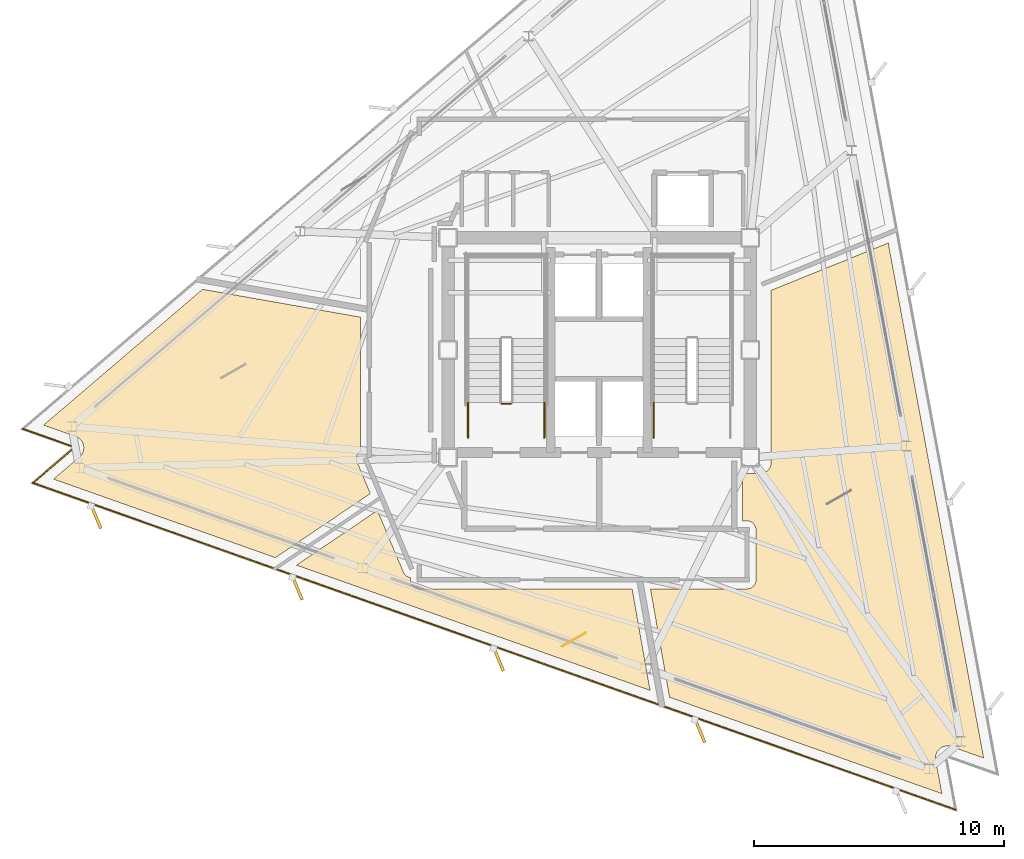
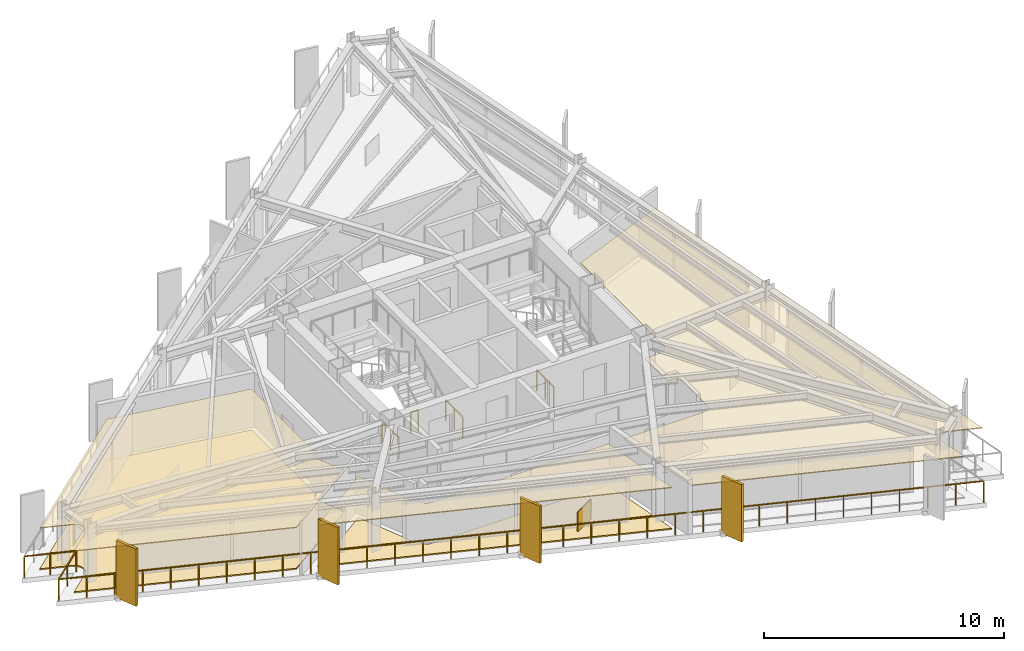
# One storey, part 11 of 14: 6 coverings, 5 railings, 4 shading devices.
"""IFC4 building model written with IfcOpenShell, lengths in metres."""

from ifc_helpers import new_model, si_unit, direction, frame, origin, origin_2d, place, context, subcontext, project, spatial, polyline, rectangle, outline, extrude, material, layer, layer_set, type_object, element, save


model = new_model("IFC4")

# Units and contexts
model_context = context("Model", 3, precision=1e-05, world=origin(), true_north=direction((0.0, 1.0)))
body_context = subcontext(model_context, "Body", "Model", "MODEL_VIEW")
ifc_project = project(units=[si_unit("LENGTHUNIT", "METRE"), si_unit("AREAUNIT", "SQUARE_METRE"), si_unit("VOLUMEUNIT", "CUBIC_METRE"), si_unit("PLANEANGLEUNIT", "RADIAN"), si_unit("MASSUNIT", "GRAM", prefix="KILO")], contexts=[model_context])

# Site, building, storey
site_placement = place(None, origin())
site = spatial("IfcSite", under=ifc_project, at=site_placement, CompositionType="ELEMENT")
building_placement = place(site_placement, origin())
building = spatial("IfcBuilding", under=site, at=building_placement, Name="Rocaltana Carrier Exchange", CompositionType="ELEMENT")
storey_placement = place(building_placement, frame((0.0, 0.0, 184.47998046875)))
storey = spatial("IfcBuildingStorey", under=building, at=storey_placement, Name="L58", CompositionType="ELEMENT", Elevation=184.47998046875)

# Coverings
ifc_material_1 = material(Name="Calcium Sulphate & Aluminium Pedestal", Category="aluminium")
ifc_layer_1 = layer(ifc_material_1, 0.06005859375)
ifc_layer_set_1 = layer_set([ifc_layer_1], Name="Calcium Sulphate & Aluminium Pedestal")
covering_type_1 = type_object("IfcCoveringType", Name="Anti-Static Raised Exchange Access Floor 60", PredefinedType="FLOORING", material=ifc_layer_set_1)
covering_1_placement = place(storey_placement, origin())
element("IfcCovering", 1, at=covering_1_placement, inside=storey, type_object=covering_type_1, Name="L58 Cloud Architecture Office Finish Floor", PredefinedType="FLOORING", context=body_context, shape_type="SweptSolid", body=[
    extrude(outline(polyline([(-20.80615234375, -4.279052734375), (-20.795654296875, -4.269775390625), (-20.78125, -4.256103515625), (-20.761962890625, -4.23583984375), (-20.748779296875, -4.220703125), (-20.731689453125, -4.19873046875), (-20.72021484375, -4.1826171875), (-20.705078125, -4.158935546875), (-20.6953125, -4.1416015625), (-20.682861328125, -4.11669921875), (-20.6748046875, -4.098388671875), (-20.664794921875, -4.072265625), (-20.65869140625, -4.053466796875), (-20.6513671875, -4.0263671875), (-20.64697265625, -4.0068359375), (-20.642333984375, -3.9794921875), (-20.64013671875, -3.959716796875), (-20.63818359375, -3.931884765625), (-20.637939453125, -3.911865234375), (-20.638916015625, -3.8837890625), (-20.640625, -3.864013671875), (-20.644287109375, -3.83642578125), (-20.64794921875, -3.81689453125), (-20.654296875, -3.78955078125), (-20.659912109375, -3.7705078125), (-20.6689453125, -3.744140625), (-20.676513671875, -3.7255859375), (-20.688232421875, -3.7001953125), (-20.697509765625, -3.6826171875), (-20.711669921875, -3.658447265625), (-20.72265625, -3.641845703125), (-20.739013671875, -3.619384765625), (-20.751708984375, -3.60400390625), (-20.770263671875, -3.5830078125), (-20.7841796875, -3.569091796875), (-20.804931640625, -3.55029296875), (-20.8203125, -3.53759765625), (-20.8427734375, -3.520751953125), (-20.859375, -3.509765625), (-20.88330078125, -3.495361328125), (-20.90087890625, -3.486083984375), (-20.926025390625, -3.47412109375), (-20.944580078125, -3.466552734375), (-20.95751953125, -3.46142578125), (-22.247802734375, -3.004638671875), (-15.87939453125, 2.434326171875), (-9.56005859375, 1.320068359375), (-9.56005859375, -4.052001953125), (-9.57177734375, -4.06005859375), (-9.578125, -4.064697265625), (-9.59912109375, -4.082275390625), (-9.60498046875, -4.087646484375), (-9.624267578125, -4.107177734375), (-9.629638671875, -4.113037109375), (-9.64697265625, -4.134521484375), (-9.651611328125, -4.140625), (-9.666748046875, -4.16357421875), (-9.670654296875, -4.17041015625), (-9.68359375, -4.194580078125), (-9.686767578125, -4.201904296875), (-9.697265625, -4.227294921875), (-9.69970703125, -4.234619140625), (-9.70751953125, -4.260986328125), (-9.70947265625, -4.2685546875), (-9.714599609375, -4.295654296875), (-9.7158203125, -4.30322265625), (-9.718505859375, -4.330810546875), (-9.71875, -4.33837890625), (-9.718505859375, -4.365966796875), (-9.71826171875, -4.373779296875), (-9.71533203125, -4.401123046875), (-9.714111328125, -4.408935546875), (-9.70849609375, -4.435791015625), (-9.706787109375, -4.443603515625), (-9.698486328125, -4.4697265625), (-9.69580078125, -4.47705078125), (-9.69091796875, -4.489990234375), (-9.16259765625, -5.74609375), (-12.967041015625, -8.312255859375), (-21.8466796875, -5.167724609375), (-20.80615234375, -4.279052734375)])), origin(), (0.0, 0.0, 1.0), 0.06005859375),
])
covering_2_placement = place(storey_placement, origin())
element("IfcCovering", 2, at=covering_2_placement, inside=storey, type_object=covering_type_1, Name="L58 Network Operations Office Finish Floor", PredefinedType="FLOORING", context=body_context, shape_type="SweptSolid", body=[
    extrude(outline(polyline([(-12.122802734375, -8.611083984375), (-8.878173828125, -6.422607421875), (-7.8408203125, -8.889892578125), (-7.835205078125, -8.90234375), (-7.831787109375, -8.909423828125), (-7.818603515625, -8.93359375), (-7.814697265625, -8.9404296875), (-7.79931640625, -8.963134765625), (-7.794677734375, -8.969482421875), (-7.777099609375, -8.990478515625), (-7.771728515625, -8.996337890625), (-7.752197265625, -9.015625), (-7.746337890625, -9.02099609375), (-7.72509765625, -9.038330078125), (-7.71875, -9.04296875), (-7.69580078125, -9.05810546875), (-7.68896484375, -9.06201171875), (-7.664794921875, -9.074951171875), (-7.65771484375, -9.078125), (-7.632080078125, -9.088623046875), (-7.624755859375, -9.09130859375), (-7.598388671875, -9.09912109375), (-7.5908203125, -9.100830078125), (-7.563720703125, -9.106201171875), (-7.56005859375, -9.106689453125), (-7.56005859375, -9.199951171875), (-7.559814453125, -9.213623046875), (-7.559326171875, -9.2216796875), (-7.556640625, -9.248779296875), (-7.555419921875, -9.256591796875), (-7.550048828125, -9.28369140625), (-7.548095703125, -9.291259765625), (-7.540283203125, -9.317626953125), (-7.53759765625, -9.324951171875), (-7.527099609375, -9.350341796875), (-7.523681640625, -9.357421875), (-7.5107421875, -9.381591796875), (-7.506591796875, -9.388427734375), (-7.491455078125, -9.4111328125), (-7.48681640625, -9.41748046875), (-7.46923828125, -9.438720703125), (-7.464111328125, -9.444580078125), (-7.444580078125, -9.464111328125), (-7.438720703125, -9.46923828125), (-7.41748046875, -9.48681640625), (-7.4111328125, -9.491455078125), (-7.388427734375, -9.506591796875), (-7.381591796875, -9.5107421875), (-7.357421875, -9.523681640625), (-7.350341796875, -9.527099609375), (-7.324951171875, -9.53759765625), (-7.317626953125, -9.540283203125), (-7.291259765625, -9.548095703125), (-7.28369140625, -9.550048828125), (-7.256591796875, -9.555419921875), (-7.248779296875, -9.556640625), (-7.2216796875, -9.559326171875), (-7.213623046875, -9.559814453125), (-7.199951171875, -9.56005859375), (1.320068359375, -9.56005859375), (2.037109375, -13.62548828125), (-12.122802734375, -8.611083984375)])), origin(), (0.0, 0.0, 1.0), 0.06005859375),
])
ifc_material_2 = material(Name="Mineral Fibre & Powder-Coated Aluminium", Category="aluminium")
ifc_layer_2 = layer(ifc_material_2, 0.044921875)
ifc_layer_set_2 = layer_set([ifc_layer_2], Name="Mineral Fibre & Powder-Coated Aluminium")
covering_type_2 = type_object("IfcCoveringType", Name="Micro-Perforated Acoustic Ceiling 45", PredefinedType="CEILING", material=ifc_layer_set_2)
covering_3_placement = place(storey_placement, frame((0.0, 0.0, 2.10302734375)))
element("IfcCovering", 3, at=covering_3_placement, inside=storey, type_object=covering_type_2, Name="L58 Cloud Architecture Office Acoustic Ceiling", PredefinedType="CEILING", context=body_context, shape_type="SweptSolid", body=[
    extrude(outline(polyline([(-20.80615234375, -4.279052734375), (-20.795654296875, -4.269775390625), (-20.78125, -4.256103515625), (-20.761962890625, -4.23583984375), (-20.748779296875, -4.220703125), (-20.731689453125, -4.19873046875), (-20.72021484375, -4.1826171875), (-20.705078125, -4.158935546875), (-20.6953125, -4.1416015625), (-20.682861328125, -4.11669921875), (-20.6748046875, -4.098388671875), (-20.664794921875, -4.072265625), (-20.65869140625, -4.053466796875), (-20.6513671875, -4.0263671875), (-20.64697265625, -4.0068359375), (-20.642333984375, -3.9794921875), (-20.64013671875, -3.959716796875), (-20.63818359375, -3.931884765625), (-20.637939453125, -3.911865234375), (-20.638916015625, -3.8837890625), (-20.640625, -3.864013671875), (-20.644287109375, -3.83642578125), (-20.64794921875, -3.81689453125), (-20.654296875, -3.78955078125), (-20.659912109375, -3.7705078125), (-20.6689453125, -3.744140625), (-20.676513671875, -3.7255859375), (-20.688232421875, -3.7001953125), (-20.697509765625, -3.6826171875), (-20.711669921875, -3.658447265625), (-20.72265625, -3.641845703125), (-20.739013671875, -3.619384765625), (-20.751708984375, -3.60400390625), (-20.770263671875, -3.5830078125), (-20.7841796875, -3.569091796875), (-20.804931640625, -3.55029296875), (-20.8203125, -3.53759765625), (-20.8427734375, -3.520751953125), (-20.859375, -3.509765625), (-20.88330078125, -3.495361328125), (-20.90087890625, -3.486083984375), (-20.926025390625, -3.47412109375), (-20.944580078125, -3.466552734375), (-20.95751953125, -3.46142578125), (-22.247802734375, -3.004638671875), (-15.87939453125, 2.434326171875), (-9.56005859375, 1.320068359375), (-9.56005859375, -4.052001953125), (-9.57177734375, -4.06005859375), (-9.578125, -4.064697265625), (-9.59912109375, -4.082275390625), (-9.60498046875, -4.087646484375), (-9.624267578125, -4.107177734375), (-9.629638671875, -4.113037109375), (-9.64697265625, -4.134521484375), (-9.651611328125, -4.140625), (-9.666748046875, -4.16357421875), (-9.670654296875, -4.17041015625), (-9.68359375, -4.194580078125), (-9.686767578125, -4.201904296875), (-9.697265625, -4.227294921875), (-9.69970703125, -4.234619140625), (-9.70751953125, -4.260986328125), (-9.70947265625, -4.2685546875), (-9.714599609375, -4.295654296875), (-9.7158203125, -4.30322265625), (-9.718505859375, -4.330810546875), (-9.71875, -4.33837890625), (-9.718505859375, -4.365966796875), (-9.71826171875, -4.373779296875), (-9.71533203125, -4.401123046875), (-9.714111328125, -4.408935546875), (-9.70849609375, -4.435791015625), (-9.706787109375, -4.443603515625), (-9.698486328125, -4.4697265625), (-9.69580078125, -4.47705078125), (-9.69091796875, -4.489990234375), (-9.16259765625, -5.74609375), (-12.967041015625, -8.312255859375), (-21.8466796875, -5.167724609375), (-20.80615234375, -4.279052734375)])), origin(), (0.0, 0.0, 1.0), 0.044921875),
])
covering_4_placement = place(storey_placement, frame((0.0, 0.0, 2.10302734375)))
element("IfcCovering", 4, at=covering_4_placement, inside=storey, type_object=covering_type_2, Name="L58 Network Operations Office Acoustic Ceiling", PredefinedType="CEILING", context=body_context, shape_type="SweptSolid", body=[
    extrude(outline(polyline([(-12.122802734375, -8.611083984375), (-8.878173828125, -6.422607421875), (-7.8408203125, -8.889892578125), (-7.835205078125, -8.90234375), (-7.831787109375, -8.909423828125), (-7.818603515625, -8.93359375), (-7.814697265625, -8.9404296875), (-7.79931640625, -8.963134765625), (-7.794677734375, -8.969482421875), (-7.777099609375, -8.990478515625), (-7.771728515625, -8.996337890625), (-7.752197265625, -9.015625), (-7.746337890625, -9.02099609375), (-7.72509765625, -9.038330078125), (-7.71875, -9.04296875), (-7.69580078125, -9.05810546875), (-7.68896484375, -9.06201171875), (-7.664794921875, -9.074951171875), (-7.65771484375, -9.078125), (-7.632080078125, -9.088623046875), (-7.624755859375, -9.09130859375), (-7.598388671875, -9.09912109375), (-7.5908203125, -9.100830078125), (-7.563720703125, -9.106201171875), (-7.56005859375, -9.106689453125), (-7.56005859375, -9.199951171875), (-7.559814453125, -9.213623046875), (-7.559326171875, -9.2216796875), (-7.556640625, -9.248779296875), (-7.555419921875, -9.256591796875), (-7.550048828125, -9.28369140625), (-7.548095703125, -9.291259765625), (-7.540283203125, -9.317626953125), (-7.53759765625, -9.324951171875), (-7.527099609375, -9.350341796875), (-7.523681640625, -9.357421875), (-7.5107421875, -9.381591796875), (-7.506591796875, -9.388427734375), (-7.491455078125, -9.4111328125), (-7.48681640625, -9.41748046875), (-7.46923828125, -9.438720703125), (-7.464111328125, -9.444580078125), (-7.444580078125, -9.464111328125), (-7.438720703125, -9.46923828125), (-7.41748046875, -9.48681640625), (-7.4111328125, -9.491455078125), (-7.388427734375, -9.506591796875), (-7.381591796875, -9.5107421875), (-7.357421875, -9.523681640625), (-7.350341796875, -9.527099609375), (-7.324951171875, -9.53759765625), (-7.317626953125, -9.540283203125), (-7.291259765625, -9.548095703125), (-7.28369140625, -9.550048828125), (-7.256591796875, -9.555419921875), (-7.248779296875, -9.556640625), (-7.2216796875, -9.559326171875), (-7.213623046875, -9.559814453125), (-7.199951171875, -9.56005859375), (1.320068359375, -9.56005859375), (2.037109375, -13.62548828125), (-12.122802734375, -8.611083984375)])), origin(), (0.0, 0.0, 1.0), 0.044921875),
])
covering_5_placement = place(storey_placement, frame((0.0, 0.0, 2.10302734375)))
element("IfcCovering", 5, at=covering_5_placement, inside=storey, type_object=covering_type_2, Name="L58 Cloud Architecture Office Acoustic Ceiling", PredefinedType="CEILING", context=body_context, shape_type="SweptSolid", body=[
    extrude(outline(polyline([(5.739990234375, -6.840087890625), (5.739990234375, -4.93994140625), (6.449951171875, -4.93994140625), (6.463623046875, -4.939697265625), (6.4794921875, -4.93896484375), (6.5068359375, -4.936279296875), (6.522216796875, -4.933837890625), (6.54931640625, -4.928466796875), (6.564453125, -4.9248046875), (6.5908203125, -4.916748046875), (6.605712890625, -4.91162109375), (6.630859375, -4.90087890625), (6.64501953125, -4.894287109375), (6.66943359375, -4.88134765625), (6.682861328125, -4.873291015625), (6.705810546875, -4.85791015625), (6.71826171875, -4.8486328125), (6.739501953125, -4.8310546875), (6.751220703125, -4.820556640625), (6.7705078125, -4.80126953125), (6.781005859375, -4.78955078125), (6.798583984375, -4.768310546875), (6.807861328125, -4.755615234375), (6.8232421875, -4.73291015625), (6.831298828125, -4.719482421875), (6.84423828125, -4.695068359375), (6.850830078125, -4.680908203125), (6.861572265625, -4.655517578125), (6.86669921875, -4.640869140625), (6.874755859375, -4.614501953125), (6.87841796875, -4.59912109375), (6.8837890625, -4.572265625), (6.88623046875, -4.556884765625), (6.888916015625, -4.529296875), (6.8896484375, -4.513671875), (6.889892578125, -4.5), (6.889892578125, 2.3955078125), (11.576171875, 4.288818359375), (15.398681640625, -16.3359375), (14.108642578125, -15.879150390625), (14.095458984375, -15.874755859375), (14.076416015625, -15.869140625), (14.04931640625, -15.8623046875), (14.02978515625, -15.858642578125), (14.001953125, -15.854736328125), (13.982177734375, -15.852783203125), (13.954345703125, -15.851806640625), (13.934326171875, -15.85205078125), (13.906494140625, -15.853515625), (13.88671875, -15.855712890625), (13.859130859375, -15.860107421875), (13.839599609375, -15.8642578125), (13.8125, -15.871337890625), (13.793701171875, -15.87744140625), (13.767333984375, -15.88720703125), (13.7490234375, -15.89501953125), (13.72412109375, -15.907470703125), (13.706787109375, -15.9169921875), (13.68310546875, -15.931884765625), (13.66650390625, -15.943359375), (13.64453125, -15.960205078125), (13.62939453125, -15.973388671875), (13.60888671875, -15.992431640625), (13.59521484375, -16.0068359375), (13.576904296875, -16.02783203125), (13.564697265625, -16.043701171875), (13.548583984375, -16.06640625), (13.537841796875, -16.083251953125), (13.524169921875, -16.107666015625), (13.51513671875, -16.12548828125), (13.50390625, -16.15087890625), (13.496826171875, -16.16943359375), (13.48828125, -16.196044921875), (13.48291015625, -16.21533203125), (13.47705078125, -16.24267578125), (13.4736328125, -16.26220703125), (13.470458984375, -16.2900390625), (13.468994140625, -16.309814453125), (13.46875, -16.337890625), (13.469482421875, -16.357666015625), (13.4716796875, -16.385498046875), (13.474365234375, -16.4052734375), (13.4765625, -16.419189453125), (13.725830078125, -17.7646484375), (2.81689453125, -13.901611328125), (2.05126953125, -9.56005859375), (5.919921875, -9.56005859375), (5.93359375, -9.559814453125), (5.941650390625, -9.559326171875), (5.968994140625, -9.556640625), (5.976806640625, -9.555419921875), (6.003662109375, -9.550048828125), (6.01123046875, -9.548095703125), (6.03759765625, -9.540283203125), (6.044921875, -9.53759765625), (6.0703125, -9.527099609375), (6.077392578125, -9.523681640625), (6.101806640625, -9.5107421875), (6.1083984375, -9.506591796875), (6.131103515625, -9.491455078125), (6.137451171875, -9.48681640625), (6.15869140625, -9.46923828125), (6.16455078125, -9.464111328125), (6.18408203125, -9.444580078125), (6.189208984375, -9.438720703125), (6.206787109375, -9.41748046875), (6.21142578125, -9.4111328125), (6.226806640625, -9.388427734375), (6.230712890625, -9.381591796875), (6.24365234375, -9.357421875), (6.2470703125, -9.350341796875), (6.257568359375, -9.324951171875), (6.26025390625, -9.317626953125), (6.268310546875, -9.291259765625), (6.27001953125, -9.28369140625), (6.275390625, -9.256591796875), (6.276611328125, -9.248779296875), (6.279296875, -9.2216796875), (6.27978515625, -9.213623046875), (6.280029296875, -9.199951171875), (6.280029296875, -7.199951171875), (6.27978515625, -7.186279296875), (6.279296875, -7.178466796875), (6.276611328125, -7.151123046875), (6.275390625, -7.143310546875), (6.27001953125, -7.116455078125), (6.268310546875, -7.108642578125), (6.26025390625, -7.08251953125), (6.257568359375, -7.0751953125), (6.2470703125, -7.0498046875), (6.24365234375, -7.04248046875), (6.230712890625, -7.018310546875), (6.226806640625, -7.01171875), (6.21142578125, -6.98876953125), (6.206787109375, -6.982421875), (6.189208984375, -6.961181640625), (6.18408203125, -6.955322265625), (6.16455078125, -6.93603515625), (6.15869140625, -6.9306640625), (6.137451171875, -6.913330078125), (6.131103515625, -6.90869140625), (6.1083984375, -6.893310546875), (6.101806640625, -6.889404296875), (6.077392578125, -6.876220703125), (6.0703125, -6.873046875), (6.044921875, -6.862548828125), (6.03759765625, -6.85986328125), (6.01123046875, -6.851806640625), (6.003662109375, -6.849853515625), (5.976806640625, -6.844482421875), (5.968994140625, -6.843505859375), (5.941650390625, -6.8408203125), (5.93359375, -6.84033203125), (5.919921875, -6.840087890625), (5.739990234375, -6.840087890625)])), origin(), (0.0, 0.0, 1.0), 0.044921875),
])

# Railings
ifc_material_3 = material(Name="Powder-Coated Aluminium 6063-T6", Category="aluminium")
ifc_layer_3 = layer(ifc_material_3, 0.048095703125)
ifc_layer_set_3 = layer_set([ifc_layer_3], Name="Powder-Coated Aluminium 6063-T6")
railing_type_1 = type_object("IfcRailingType", Name="Stair Well Guardrail 1100", PredefinedType="GUARDRAIL", material=ifc_layer_set_3)
railing_1_placement = place(storey_placement, frame((-3.5400390625, -2.14990234375, 0.0)))
element("IfcRailing", 6, at=railing_1_placement, inside=storey, type_object=railing_type_1, Name="L58 ST-1 stair guard 7", PredefinedType="GUARDRAIL", context=body_context, shape_type="SweptSolid", body=[
    extrude(rectangle(XDim=0.048095703125, YDim=0.048095703125, at=origin_2d()), frame((0.0, 0.0, 1.076171875), z_axis=(-1.0, 0.0, 0.0), x_axis=(0.0, -1.0, 0.0)), (0.0, 0.0, 1.0), 0.35986328125),
    extrude(rectangle(XDim=0.0419921875, YDim=0.0419921875, at=origin_2d()), origin(), (0.0, 0.0, 1.0), 1.052001953125),
    extrude(rectangle(XDim=0.0419921875, YDim=0.0419921875, at=origin_2d()), frame((-0.35986328125, 0.0, 0.0)), (0.0, 0.0, 1.0), 1.052001953125),
])
for number, where, name in (
    (7, (-2.18994140625, -3.5, 0.0), "L58 ST-1 stair guard 8"),
    (8, (-5.25, -3.5, 0.0), "L58 ST-1 stair guard 9"),
    (9, (2.18994140625, -3.5, 0.0), "L58 ST-2 stair guard 9"),
):
    element("IfcRailing", number, at=place(storey_placement, frame(where)), inside=storey, type_object=railing_type_1, Name=name, PredefinedType="GUARDRAIL", context=body_context, shape_type="SweptSolid", body=[
        extrude(rectangle(XDim=0.048095703125, YDim=0.048095703125, at=origin_2d()), frame((0.0, 0.0, 1.076171875), z_axis=(0.0, 1.0, 0.0), x_axis=(-1.0, 0.0, 0.0)), (0.0, 0.0, 1.0), 1.39990234375),
        extrude(rectangle(XDim=0.0419921875, YDim=0.0419921875, at=origin_2d()), origin(), (0.0, 0.0, 1.0), 1.052001953125),
        extrude(rectangle(XDim=0.0419921875, YDim=0.0419921875, at=origin_2d()), frame((0.0, 0.699951171875, 0.0)), (0.0, 0.0, 1.0), 1.052001953125),
        extrude(rectangle(XDim=0.0419921875, YDim=0.0419921875, at=origin_2d()), frame((0.0, 1.39990234375, 0.0)), (0.0, 0.0, 1.0), 1.052001953125),
    ])

# Covering
ifc_material_4 = material(Name="Honed Piedra Muneca Sandstone", Category="masonry")
ifc_layer_4 = layer(ifc_material_4, 0.034912109375)
ifc_layer_set_4 = layer_set([ifc_layer_4], Name="Honed Piedra Muneca Sandstone")
covering_type_3 = type_object("IfcCoveringType", Name="Stone Facade Cladding 35", PredefinedType="CLADDING", material=ifc_layer_set_4)
covering_6_placement = place(storey_placement, frame((-1.01220703125, -11.5927734375, 0.0), z_axis=(0.0, 0.0, 1.0), x_axis=(0.866025403784, 0.5, 0.0)))
element("IfcCovering", 10, at=covering_6_placement, inside=storey, type_object=covering_type_3, Name="L58 Stone Facade Cladding Panel 2", PredefinedType="CLADDING", context=body_context, shape_type="SweptSolid", body=[
    extrude(rectangle(XDim=1.10009765625, YDim=0.034912109375, at=origin_2d()), origin(), (0.0, 0.0, 1.0), 1.050048828125),
])

# Shading devices
ifc_material_5 = material(Name="Honed Bogota Sandstone & Concrete C45/55", Category="masonry")
ifc_layer_5 = layer(ifc_material_5, 0.1201171875)
ifc_layer_set_5 = layer_set([ifc_layer_5], Name="Honed Bogota Sandstone & Concrete C45/55")
shading_device_type = type_object("IfcShadingDeviceType", Name="Upper Sandstone Shading Fin 1050x120", PredefinedType="USERDEFINED", material=ifc_layer_set_5)
for number, where, z_axis, x_axis, name in (
    (11, (-20.154296875, -6.65869140625, -0.119873046875), (0.0, 0.0, 1.0), (0.382683432365, -0.923879532511, 0.0), "L58 Sandstone Vertical Fin F3-01"),
    (12, (-12.094482421875, -9.5126953125, -0.119873046875), (0.0, 0.0, 1.0), (0.382683432365, -0.923879532511, 0.0), "L58 Sandstone Vertical Fin F3-02"),
    (13, (-4.034912109375, -12.36669921875, -0.119873046875), (0.0, 0.0, 1.0), (0.382683432365, -0.923879532511, 0.0), "L58 Sandstone Vertical Fin F3-03"),
    (14, (4.0244140625, -15.220947265625, -0.119873046875), (0.0, 0.0, 1.0), (0.382683432365, -0.923879532511, 0.0), "L58 Sandstone Vertical Fin F3-04"),
):
    element("IfcShadingDevice", number, at=place(storey_placement, frame(where, z_axis=z_axis, x_axis=x_axis)), inside=storey, type_object=shading_device_type, Name=name, ObjectType="FIN", PredefinedType="USERDEFINED", context=body_context, shape_type="SweptSolid", body=[
        extrude(rectangle(XDim=1.050048828125, YDim=0.1201171875, at=origin_2d()), origin(), (0.0, 0.0, 1.0), 2.91796875),
    ])

# Railing
ifc_material_6 = material(Name="Powder-Coated Aluminium 6063-T6", Category="aluminium")
ifc_layer_6 = layer(ifc_material_6, 0.06005859375)
ifc_layer_set_6 = layer_set([ifc_layer_6], Name="Powder-Coated Aluminium 6063-T6")
railing_type_2 = type_object("IfcRailingType", Name="Wind-Floor & Terrace Perimeter Guardrail 1100", PredefinedType="GUARDRAIL", material=ifc_layer_set_6)
railing_2_placement = place(storey_placement, frame((14.271484375, -18.403564453125, 0.0)))
element("IfcRailing", 15, at=railing_2_placement, inside=storey, type_object=railing_type_2, Name="L58 Perimeter Balcony Guardrail 1", PredefinedType="GUARDRAIL", context=body_context, shape_type="SweptSolid", body=[
    extrude(rectangle(XDim=0.048095703125, YDim=0.048095703125, at=origin_2d()), frame((0.0, 0.0, 1.076171875), z_axis=(-0.94264008911, 0.333810818284, 0.0), x_axis=(-0.333810818284, -0.94264008911, 0.0)), (0.0, 0.0, 1.0), 39.192138671875),
    extrude(rectangle(XDim=0.048095703125, YDim=0.048095703125, at=origin_2d()), frame((-36.944091796875, 13.082763671875, 1.076171875), z_axis=(0.760414781346, 0.649437726275, 0.0), x_axis=(-0.649437726275, 0.760414781346, 0.0)), (0.0, 0.0, 1.0), 2.199951171875),
    extrude(rectangle(XDim=0.048095703125, YDim=0.048095703125, at=origin_2d()), frame((-35.271240234375, 14.511474609375, 1.076171875), z_axis=(-0.942637410797, 0.333818381408, 0.0), x_axis=(-0.333818381408, -0.942637410797, 0.0)), (0.0, 0.0, 1.0), 2.199951171875),
    extrude(rectangle(XDim=0.0419921875, YDim=0.0419921875, at=origin_2d()), origin(), (0.0, 0.0, 1.0), 1.052001953125),
    extrude(rectangle(XDim=0.0419921875, YDim=0.0419921875, at=origin_2d()), frame((-1.11962890625, 0.396484375, 0.0)), (0.0, 0.0, 1.0), 1.052001953125),
    extrude(rectangle(XDim=0.0419921875, YDim=0.0419921875, at=origin_2d()), frame((-2.239013671875, 0.79296875, 0.0)), (0.0, 0.0, 1.0), 1.052001953125),
    extrude(rectangle(XDim=0.0419921875, YDim=0.0419921875, at=origin_2d()), frame((-3.358642578125, 1.189453125, 0.0)), (0.0, 0.0, 1.0), 1.052001953125),
    extrude(rectangle(XDim=0.0419921875, YDim=0.0419921875, at=origin_2d()), frame((-4.47802734375, 1.585693359375, 0.0)), (0.0, 0.0, 1.0), 1.052001953125),
    extrude(rectangle(XDim=0.0419921875, YDim=0.0419921875, at=origin_2d()), frame((-5.59765625, 1.982177734375, 0.0)), (0.0, 0.0, 1.0), 1.052001953125),
    extrude(rectangle(XDim=0.0419921875, YDim=0.0419921875, at=origin_2d()), frame((-6.717041015625, 2.378662109375, 0.0)), (0.0, 0.0, 1.0), 1.052001953125),
    extrude(rectangle(XDim=0.0419921875, YDim=0.0419921875, at=origin_2d()), frame((-7.836669921875, 2.775146484375, 0.0)), (0.0, 0.0, 1.0), 1.052001953125),
    extrude(rectangle(XDim=0.0419921875, YDim=0.0419921875, at=origin_2d()), frame((-8.9560546875, 3.171630859375, 0.0)), (0.0, 0.0, 1.0), 1.052001953125),
    extrude(rectangle(XDim=0.0419921875, YDim=0.0419921875, at=origin_2d()), frame((-10.07568359375, 3.568115234375, 0.0)), (0.0, 0.0, 1.0), 1.052001953125),
    extrude(rectangle(XDim=0.0419921875, YDim=0.0419921875, at=origin_2d()), frame((-11.195068359375, 3.96435546875, 0.0)), (0.0, 0.0, 1.0), 1.052001953125),
    extrude(rectangle(XDim=0.0419921875, YDim=0.0419921875, at=origin_2d()), frame((-12.314697265625, 4.36083984375, 0.0)), (0.0, 0.0, 1.0), 1.052001953125),
    extrude(rectangle(XDim=0.0419921875, YDim=0.0419921875, at=origin_2d()), frame((-13.434326171875, 4.75732421875, 0.0)), (0.0, 0.0, 1.0), 1.052001953125),
    extrude(rectangle(XDim=0.0419921875, YDim=0.0419921875, at=origin_2d()), frame((-14.5537109375, 5.15380859375, 0.0)), (0.0, 0.0, 1.0), 1.052001953125),
    extrude(rectangle(XDim=0.0419921875, YDim=0.0419921875, at=origin_2d()), frame((-15.67333984375, 5.55029296875, 0.0)), (0.0, 0.0, 1.0), 1.052001953125),
    extrude(rectangle(XDim=0.0419921875, YDim=0.0419921875, at=origin_2d()), frame((-16.792724609375, 5.94677734375, 0.0)), (0.0, 0.0, 1.0), 1.052001953125),
    extrude(rectangle(XDim=0.0419921875, YDim=0.0419921875, at=origin_2d()), frame((-17.912353515625, 6.34326171875, 0.0)), (0.0, 0.0, 1.0), 1.052001953125),
    extrude(rectangle(XDim=0.0419921875, YDim=0.0419921875, at=origin_2d()), frame((-19.03173828125, 6.739501953125, 0.0)), (0.0, 0.0, 1.0), 1.052001953125),
    extrude(rectangle(XDim=0.0419921875, YDim=0.0419921875, at=origin_2d()), frame((-20.1513671875, 7.135986328125, 0.0)), (0.0, 0.0, 1.0), 1.052001953125),
    extrude(rectangle(XDim=0.0419921875, YDim=0.0419921875, at=origin_2d()), frame((-21.270751953125, 7.532470703125, 0.0)), (0.0, 0.0, 1.0), 1.052001953125),
    extrude(rectangle(XDim=0.0419921875, YDim=0.0419921875, at=origin_2d()), frame((-22.390380859375, 7.928955078125, 0.0)), (0.0, 0.0, 1.0), 1.052001953125),
    extrude(rectangle(XDim=0.0419921875, YDim=0.0419921875, at=origin_2d()), frame((-23.509765625, 8.325439453125, 0.0)), (0.0, 0.0, 1.0), 1.052001953125),
    extrude(rectangle(XDim=0.0419921875, YDim=0.0419921875, at=origin_2d()), frame((-24.62939453125, 8.721923828125, 0.0)), (0.0, 0.0, 1.0), 1.052001953125),
    extrude(rectangle(XDim=0.0419921875, YDim=0.0419921875, at=origin_2d()), frame((-25.7490234375, 9.118408203125, 0.0)), (0.0, 0.0, 1.0), 1.052001953125),
    extrude(rectangle(XDim=0.0419921875, YDim=0.0419921875, at=origin_2d()), frame((-26.868408203125, 9.5146484375, 0.0)), (0.0, 0.0, 1.0), 1.052001953125),
    extrude(rectangle(XDim=0.0419921875, YDim=0.0419921875, at=origin_2d()), frame((-27.988037109375, 9.9111328125, 0.0)), (0.0, 0.0, 1.0), 1.052001953125),
    extrude(rectangle(XDim=0.0419921875, YDim=0.0419921875, at=origin_2d()), frame((-29.107421875, 10.3076171875, 0.0)), (0.0, 0.0, 1.0), 1.052001953125),
    extrude(rectangle(XDim=0.0419921875, YDim=0.0419921875, at=origin_2d()), frame((-30.22705078125, 10.7041015625, 0.0)), (0.0, 0.0, 1.0), 1.052001953125),
    extrude(rectangle(XDim=0.0419921875, YDim=0.0419921875, at=origin_2d()), frame((-31.346435546875, 11.1005859375, 0.0)), (0.0, 0.0, 1.0), 1.052001953125),
    extrude(rectangle(XDim=0.0419921875, YDim=0.0419921875, at=origin_2d()), frame((-32.466064453125, 11.4970703125, 0.0)), (0.0, 0.0, 1.0), 1.052001953125),
    extrude(rectangle(XDim=0.0419921875, YDim=0.0419921875, at=origin_2d()), frame((-33.58544921875, 11.893310546875, 0.0)), (0.0, 0.0, 1.0), 1.052001953125),
    extrude(rectangle(XDim=0.0419921875, YDim=0.0419921875, at=origin_2d()), frame((-34.705078125, 12.289794921875, 0.0)), (0.0, 0.0, 1.0), 1.052001953125),
    extrude(rectangle(XDim=0.0419921875, YDim=0.0419921875, at=origin_2d()), frame((-35.824462890625, 12.686279296875, 0.0)), (0.0, 0.0, 1.0), 1.052001953125),
    extrude(rectangle(XDim=0.0419921875, YDim=0.0419921875, at=origin_2d()), frame((-36.944091796875, 13.082763671875, 0.0)), (0.0, 0.0, 1.0), 1.052001953125),
    extrude(rectangle(XDim=0.0419921875, YDim=0.0419921875, at=origin_2d()), frame((-36.107666015625, 13.797119140625, 0.0)), (0.0, 0.0, 1.0), 1.052001953125),
    extrude(rectangle(XDim=0.0419921875, YDim=0.0419921875, at=origin_2d()), frame((-35.271240234375, 14.511474609375, 0.0)), (0.0, 0.0, 1.0), 1.052001953125),
    extrude(rectangle(XDim=0.0419921875, YDim=0.0419921875, at=origin_2d()), frame((-36.30810546875, 14.878662109375, 0.0)), (0.0, 0.0, 1.0), 1.052001953125),
    extrude(rectangle(XDim=0.0419921875, YDim=0.0419921875, at=origin_2d()), frame((-37.344970703125, 15.245849609375, 0.0)), (0.0, 0.0, 1.0), 1.052001953125),
])

save(model, "model.ifc")
